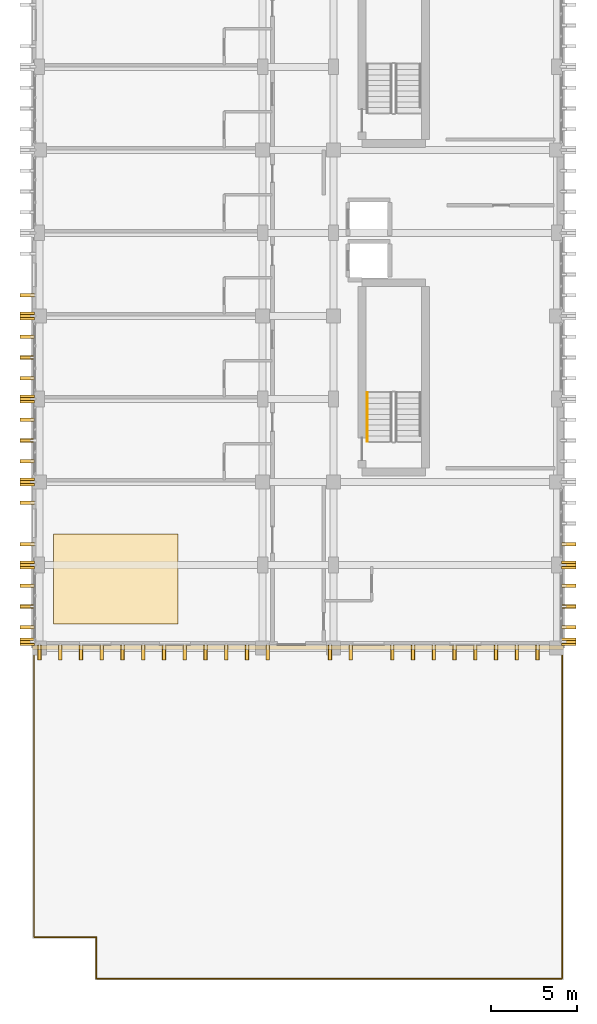
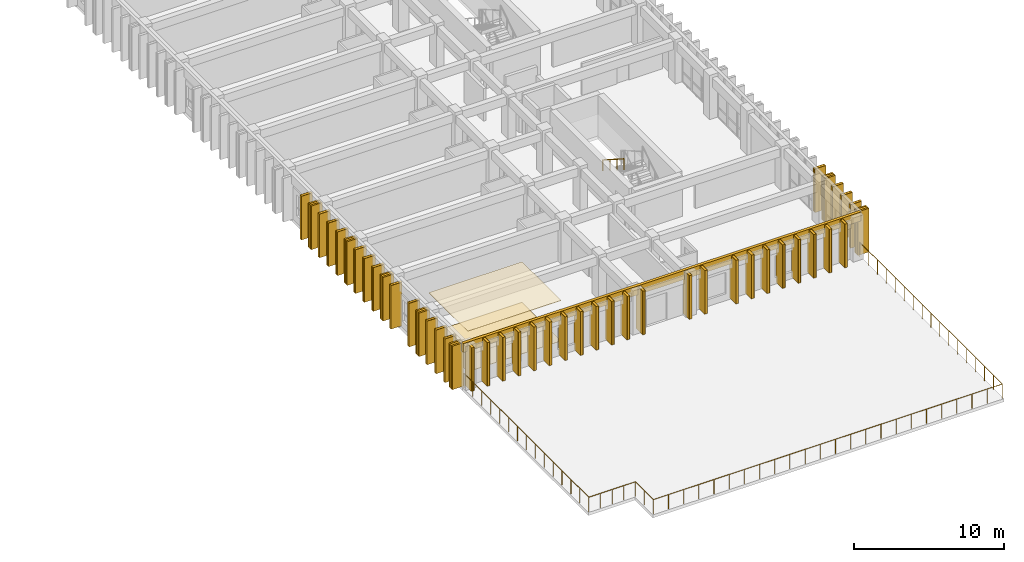
# One storey, part 72 of 82: 48 coverings, 45 shading devices, 2 railings.
"""IFC4 building model written with IfcOpenShell, lengths in metres."""

import ifcopenshell
import ifcopenshell.guid

model = None  # the IFC model being written
_history = None  # IfcOwnerHistory: only IFC2X3 demands one
_inside = {}  # id of a spatial element -> (the spatial element, [elements in it])
_under = {}  # id of a project, library or spatial element -> (it, [spatial elements below it])
_declared = {}  # id of a project -> (the project, [libraries it declares])
_typed = {}  # id of a type object -> (the type object, [elements of that type])
_made_of = {}  # id of a material, layer set ... -> (it, [elements and type objects made of it])


def new_model(schema):
    """Start an empty IFC model of exactly this schema.

    Asked for "IFC4X3", IfcOpenShell would pick the latest addendum, in which some entities
    have other attributes; the version numbers below select the first issue.
    IFC2X3 requires an IfcOwnerHistory on every rooted entity: one is made here for all.
    """
    global model, _history
    if schema == "IFC4X3":
        model = ifcopenshell.file(schema_version=(4, 3, 0, 0))
    else:
        model = ifcopenshell.file(schema=schema)
    _inside.clear()
    _under.clear()
    _declared.clear()
    _typed.clear()
    _made_of.clear()
    _history = None
    if model.schema == "IFC2X3":
        org = make("IfcOrganization", Name="unknown")
        user = make(
            "IfcPersonAndOrganization",
            ThePerson=make("IfcPerson", FamilyName="unknown"),
            TheOrganization=org,
        )
        app = make(
            "IfcApplication",
            ApplicationDeveloper=org,
            Version="unknown",
            ApplicationFullName="unknown",
            ApplicationIdentifier="unknown",
        )
        _history = make(
            "IfcOwnerHistory",
            OwningUser=user,
            OwningApplication=app,
            ChangeAction="ADDED",
            CreationDate=0,
        )
    return model


def make(cls, **values):
    """One entity of the class cls with the attributes given. An attribute that is None is left unset."""
    return model.create_entity(
        cls, **{name: value for name, value in values.items() if value is not None}
    )


def rooted(cls, **values):
    """An entity with a GlobalId (a new one), such as an element, a storey or a relation."""
    return make(cls, GlobalId=ifcopenshell.guid.new(), OwnerHistory=_history, **values)


def si_unit(unit_type, name, prefix=None):
    """IfcSIUnit, for example si_unit("LENGTHUNIT", "METRE", prefix="MILLI")."""
    return make("IfcSIUnit", UnitType=unit_type, Prefix=prefix, Name=name)


def assignment(units):
    """IfcUnitAssignment: the units of a project."""
    return None if units is None else make("IfcUnitAssignment", Units=units)


def point(xyz):
    """IfcCartesianPoint."""
    return None if xyz is None else make("IfcCartesianPoint", Coordinates=xyz)


def direction(xyz):
    """IfcDirection."""
    return None if xyz is None else make("IfcDirection", DirectionRatios=xyz)


def frame(location, z_axis=None, x_axis=None):
    """IfcAxis2Placement3D, a coordinate frame: its origin and axes. An axis left out is left unset."""
    return make(
        "IfcAxis2Placement3D",
        Location=point(location),
        Axis=direction(z_axis),
        RefDirection=direction(x_axis),
    )


def frame_2d(location, x_axis=None):
    """IfcAxis2Placement2D, a coordinate frame in the plane: its origin and x axis."""
    return make(
        "IfcAxis2Placement2D", Location=point(location), RefDirection=direction(x_axis)
    )


def origin():
    """The frame at (0, 0, 0) with its axes left unset."""
    return frame((0.0, 0.0, 0.0))


def origin_2d():
    """The frame at (0, 0) in the plane with its x axis left unset."""
    return frame_2d((0.0, 0.0))


def place(relative_to, where):
    """IfcLocalPlacement: puts the frame where relative to a parent placement (None: the world)."""
    return make(
        "IfcLocalPlacement", PlacementRelTo=relative_to, RelativePlacement=where
    )


def context(
    kind, dimensions, precision=None, world=None, true_north=None, identifier=None
):
    """IfcGeometricRepresentationContext, for example the 3D "Model" context."""
    return make(
        "IfcGeometricRepresentationContext",
        ContextIdentifier=identifier,
        ContextType=kind,
        CoordinateSpaceDimension=dimensions,
        Precision=precision,
        WorldCoordinateSystem=world,
        TrueNorth=true_north,
    )


def subcontext(parent, identifier, kind, view, scale=None):
    """IfcGeometricRepresentationSubContext, for example "Body" below "Model"."""
    return make(
        "IfcGeometricRepresentationSubContext",
        ContextIdentifier=identifier,
        ContextType=kind,
        ParentContext=parent,
        TargetScale=scale,
        TargetView=view,
    )


def project(units=None, contexts=None):
    """IfcProject with its units and contexts."""
    return rooted(
        "IfcProject",
        Name="project",
        RepresentationContexts=contexts,
        UnitsInContext=assignment(units),
    )


def spatial(cls, under=None, at=None, **own):
    """A site, building, storey or space (cls), placed at a placement, below another one or the project."""
    s = rooted(cls, ObjectPlacement=at, **own)
    if under is not None:
        _under.setdefault(under.id(), (under, []))[1].append(s)
    return s


def polyline(points):
    """IfcPolyline through the points."""
    return make("IfcPolyline", Points=[point(p) for p in points])


def profile(cls, at=None, kind="AREA", **sizes):
    """A parametric profile (cls). Its sizes go by their IFC names, for example OverallWidth=200.0."""
    return make(cls, ProfileType=kind, Position=at, **sizes)


def rectangle(**sizes):
    """IfcRectangleProfileDef."""
    return profile("IfcRectangleProfileDef", **sizes)


def circle(**sizes):
    """IfcCircleProfileDef."""
    return profile("IfcCircleProfileDef", **sizes)


def outline(outer, holes=None, kind="AREA"):
    """IfcArbitraryClosedProfileDef: a profile drawn as a closed curve; with holes, ...WithVoids."""
    if holes is None:
        return make("IfcArbitraryClosedProfileDef", ProfileType=kind, OuterCurve=outer)
    return make(
        "IfcArbitraryProfileDefWithVoids",
        ProfileType=kind,
        OuterCurve=outer,
        InnerCurves=holes,
    )


def extrude(swept, where, along, depth):
    """IfcExtrudedAreaSolid: the profile swept, set in the frame where, extruded along a direction by depth."""
    return make(
        "IfcExtrudedAreaSolid",
        SweptArea=swept,
        Position=where,
        ExtrudedDirection=direction(along),
        Depth=depth,
    )


def shape(context_of_items, identifier, shape_type, items):
    """IfcShapeRepresentation: the items that make up one representation, for example the "Body"."""
    return make(
        "IfcShapeRepresentation",
        ContextOfItems=context_of_items,
        RepresentationIdentifier=identifier,
        RepresentationType=shape_type,
        Items=items,
    )


def material(Name=None, Category=None):
    """IfcMaterial."""
    return make("IfcMaterial", Name=Name, Category=Category)


def layer(
    of_material, thickness, ventilated=None, Name=None, Category=None, Priority=None
):
    """IfcMaterialLayer: one layer of a wall or slab, of a material (None: an air gap)."""
    return make(
        "IfcMaterialLayer",
        Material=of_material,
        LayerThickness=thickness,
        IsVentilated=ventilated,
        Name=Name,
        Category=Category,
        Priority=Priority,
    )


def layer_set(layers, Name=None):
    """IfcMaterialLayerSet."""
    return make("IfcMaterialLayerSet", MaterialLayers=layers, LayerSetName=Name)


def made_of(thing, what):
    """Note that an element or type object is made of a material, layer set ...; save() writes the relation."""
    if what is not None:
        _made_of.setdefault(what.id(), (what, []))[1].append(thing)
    return thing


def type_object(cls, material=None, **own):
    """A type object (cls), such as IfcWallType, which elements share."""
    return made_of(rooted(cls, **own), material)


def element(
    cls,
    number,
    at=None,
    inside=None,
    cuts=None,
    type_object=None,
    material=None,
    context=None,
    identifier="Body",
    shape_type=None,
    held_by="IfcProductDefinitionShape",
    body=None,
    shapes=None,
    **own,
):
    """One element of the class cls, such as IfcWall. Its Tag is "e" and its number.

    at: its placement. inside: the storey or other place that contains it. cuts: it is an
    opening in that element (IfcRelVoidsElement). A single representation is given by context,
    identifier, shape_type and body (its items); several are given by shapes. held_by: the class
    of the entity that holds the representations. save() writes the other relations.
    """
    e = rooted(cls, Tag="e%d" % number, ObjectPlacement=at, **own)
    if body is not None:
        shapes = [shape(context, identifier, shape_type, body)]
    if shapes is not None:
        e.Representation = make(held_by, Representations=shapes)
    if inside is not None:
        _inside.setdefault(inside.id(), (inside, []))[1].append(e)
    if cuts is not None:
        rooted(
            "IfcRelVoidsElement", RelatingBuildingElement=cuts, RelatedOpeningElement=e
        )
    if type_object is not None:
        _typed.setdefault(type_object.id(), (type_object, []))[1].append(e)
    return made_of(e, material)


def aggregate(whole, parts):
    """IfcRelAggregates: a whole, such as a stair, and the parts it consists of."""
    return rooted("IfcRelAggregates", RelatingObject=whole, RelatedObjects=parts)


def save(model, path):
    """Write the relations noted so far, then the file.

    IfcRelAggregates (storeys below a building ...), IfcRelContainedInSpatialStructure (elements
    in a storey), IfcRelDefinesByType, IfcRelAssociatesMaterial and IfcRelDeclares: one each for
    every whole, place, type object, material and project.
    """
    for whole, parts in _under.values():
        aggregate(whole, parts)
    for where, things in _inside.values():
        rooted(
            "IfcRelContainedInSpatialStructure",
            RelatedElements=things,
            RelatingStructure=where,
        )
    for kind, things in _typed.values():
        rooted("IfcRelDefinesByType", RelatedObjects=things, RelatingType=kind)
    for what, things in _made_of.values():
        rooted("IfcRelAssociatesMaterial", RelatedObjects=things, RelatingMaterial=what)
    for by, libraries in _declared.values():
        rooted("IfcRelDeclares", RelatingContext=by, RelatedDefinitions=libraries)
    model.write(path)


model = new_model("IFC4")

# Units and contexts
model_context = context("Model", 3, precision=1e-05, world=origin(), true_north=direction((0.0, 1.0)))
body_context = subcontext(model_context, "Body", "Model", "MODEL_VIEW")
ifc_project = project(units=[si_unit("LENGTHUNIT", "METRE"), si_unit("AREAUNIT", "SQUARE_METRE"), si_unit("VOLUMEUNIT", "CUBIC_METRE"), si_unit("PLANEANGLEUNIT", "RADIAN"), si_unit("MASSUNIT", "GRAM", prefix="KILO")], contexts=[model_context])

# Site, building, storey
site_placement = place(None, origin())
site = spatial("IfcSite", under=ifc_project, at=site_placement, CompositionType="ELEMENT")
building_placement = place(site_placement, origin())
building = spatial("IfcBuilding", under=site, at=building_placement, Name="Nakhvara Creek Congress Hotel", CompositionType="ELEMENT")
storey_placement = place(building_placement, frame((0.0, 0.0, 21.0)))
storey = spatial("IfcBuildingStorey", under=building, at=storey_placement, Name="L04", CompositionType="ELEMENT", Elevation=21.0)

# Coverings
ifc_material_1 = material(Name="Acoustic mineral-fibre and gypsum ceiling board")
ifc_layer_1 = layer(ifc_material_1, 0.0400390625)
ifc_layer_set_1 = layer_set([ifc_layer_1], Name="Acoustic mineral-fibre and gypsum ceiling board")
covering_type_1 = type_object("IfcCoveringType", Name="COV-CEIL-AC", PredefinedType="CEILING", material=ifc_layer_set_1)
covering_1_placement = place(storey_placement, frame((0.0, 0.0, 3.304931640625)))
element("IfcCovering", 1, at=covering_1_placement, inside=storey, type_object=covering_type_1, Name="Acoustic Ceiling L04-LNG-01", PredefinedType="CEILING", context=body_context, shape_type="SweptSolid", body=[
    extrude(outline(polyline([(150.25, 20.60009765625), (157.449951171875, 20.60009765625), (157.449951171875, 25.800048828125), (150.25, 25.800048828125), (150.25, 20.60009765625)])), origin(), (0.0, 0.0, 1.0), 0.03515625),
])
ifc_material_2 = material(Name="Honed pale Omani limestone architectural cladding", Category="masonry")
ifc_layer_2 = layer(ifc_material_2, 0.219970703125)
ifc_layer_set_2 = layer_set([ifc_layer_2], Name="Honed pale Omani limestone architectural cladding")
covering_type_2 = type_object("IfcCoveringType", Name="COV-FIN-850", PredefinedType="CLADDING", material=ifc_layer_set_2)
for number, where, z_axis, x_axis, name in (
    (2, (180.054931640625, 19.550048828125, 0.0), (0.0, 0.0, 1.0), (0.0, 1.0, 0.0), "Pale Limestone Fin Cladding CF01-1201"),
    (3, (148.7451171875, 19.550048828125, 0.0), (0.0, 0.0, 1.0), (0.0, 1.0, 0.0), "Pale Limestone Fin Cladding CF01-1202"),
):
    element("IfcCovering", number, at=place(storey_placement, frame(where, z_axis=z_axis, x_axis=x_axis)), inside=storey, type_object=covering_type_2, Name=name, PredefinedType="CLADDING", context=body_context, shape_type="SweptSolid", body=[
        extrude(rectangle(XDim=0.43994140625, YDim=0.85009765625, at=origin_2d()), origin(), (0.0, 0.0, 1.0), 3.56005859375),
    ])
for number, where, z_axis, x_axis, name in (
    (4, (180.054931640625, 20.39990234375, 0.0), (0.0, 0.0, 1.0), (0.0, 1.0, 0.0), "Pale Limestone Fin Cladding CF01-1203"),
    (5, (148.7451171875, 20.39990234375, 0.0), (0.0, 0.0, 1.0), (0.0, 1.0, 0.0), "Pale Limestone Fin Cladding CF01-1204"),
    (6, (180.054931640625, 21.60009765625, 0.0), (0.0, 0.0, 1.0), (0.0, 1.0, 0.0), "Pale Limestone Fin Cladding CF01-1205"),
    (7, (148.7451171875, 21.60009765625, 0.0), (0.0, 0.0, 1.0), (0.0, 1.0, 0.0), "Pale Limestone Fin Cladding CF01-1206"),
    (8, (180.054931640625, 22.800048828125, 0.0), (0.0, 0.0, 1.0), (0.0, 1.0, 0.0), "Pale Limestone Fin Cladding CF01-1207"),
    (9, (148.7451171875, 22.800048828125, 0.0), (0.0, 0.0, 1.0), (0.0, 1.0, 0.0), "Pale Limestone Fin Cladding CF01-1208"),
):
    element("IfcCovering", number, at=place(storey_placement, frame(where, z_axis=z_axis, x_axis=x_axis)), inside=storey, type_object=covering_type_2, Name=name, PredefinedType="CLADDING", context=body_context, shape_type="SweptSolid", body=[
        extrude(rectangle(XDim=0.219970703125, YDim=0.85009765625, at=origin_2d()), origin(), (0.0, 0.0, 1.0), 3.56005859375),
    ])
for number, where, z_axis, x_axis, name in (
    (10, (180.054931640625, 24.0, 0.0), (0.0, 0.0, 1.0), (0.0, 1.0, 0.0), "Pale Limestone Fin Cladding CF01-1209"),
    (11, (148.7451171875, 24.0, 0.0), (0.0, 0.0, 1.0), (0.0, 1.0, 0.0), "Pale Limestone Fin Cladding CF01-1210"),
):
    element("IfcCovering", number, at=place(storey_placement, frame(where, z_axis=z_axis, x_axis=x_axis)), inside=storey, type_object=covering_type_2, Name=name, PredefinedType="CLADDING", context=body_context, shape_type="SweptSolid", body=[
        extrude(rectangle(XDim=0.43994140625, YDim=0.85009765625, at=origin_2d()), origin(), (0.0, 0.0, 1.0), 3.56005859375),
    ])
for number, where, z_axis, x_axis, name in (
    (12, (180.054931640625, 25.199951171875, 0.0), (0.0, 0.0, 1.0), (0.0, 1.0, 0.0), "Pale Limestone Fin Cladding CF01-1211"),
    (13, (148.7451171875, 25.199951171875, 0.0), (0.0, 0.0, 1.0), (0.0, 1.0, 0.0), "Pale Limestone Fin Cladding CF01-1212"),
    (14, (148.7451171875, 27.60009765625, 0.0), (0.0, 0.0, 1.0), (0.0, 1.0, 0.0), "Pale Limestone Fin Cladding CF01-1215"),
):
    element("IfcCovering", number, at=place(storey_placement, frame(where, z_axis=z_axis, x_axis=x_axis)), inside=storey, type_object=covering_type_2, Name=name, PredefinedType="CLADDING", context=body_context, shape_type="SweptSolid", body=[
        extrude(rectangle(XDim=0.219970703125, YDim=0.85009765625, at=origin_2d()), origin(), (0.0, 0.0, 1.0), 3.56005859375),
    ])
covering_2_placement = place(storey_placement, frame((148.7451171875, 28.800048828125, 0.0), z_axis=(0.0, 0.0, 1.0), x_axis=(0.0, 1.0, 0.0)))
element("IfcCovering", 15, at=covering_2_placement, inside=storey, type_object=covering_type_2, Name="Pale Limestone Fin Cladding CF01-1217", PredefinedType="CLADDING", context=body_context, shape_type="SweptSolid", body=[
    extrude(rectangle(XDim=0.43994140625, YDim=0.85009765625, at=origin_2d()), origin(), (0.0, 0.0, 1.0), 3.56005859375),
])
for number, where, z_axis, x_axis, name in (
    (16, (148.7451171875, 30.0, 0.0), (0.0, 0.0, 1.0), (0.0, 1.0, 0.0), "Pale Limestone Fin Cladding CF01-1219"),
    (17, (148.7451171875, 31.199951171875, 0.0), (0.0, 0.0, 1.0), (0.0, 1.0, 0.0), "Pale Limestone Fin Cladding CF01-1221"),
    (18, (148.7451171875, 32.39990234375, 0.0), (0.0, 0.0, 1.0), (0.0, 1.0, 0.0), "Pale Limestone Fin Cladding CF01-1223"),
):
    element("IfcCovering", number, at=place(storey_placement, frame(where, z_axis=z_axis, x_axis=x_axis)), inside=storey, type_object=covering_type_2, Name=name, PredefinedType="CLADDING", context=body_context, shape_type="SweptSolid", body=[
        extrude(rectangle(XDim=0.219970703125, YDim=0.85009765625, at=origin_2d()), origin(), (0.0, 0.0, 1.0), 3.56005859375),
    ])
covering_3_placement = place(storey_placement, frame((148.7451171875, 33.60009765625, 0.0), z_axis=(0.0, 0.0, 1.0), x_axis=(0.0, 1.0, 0.0)))
element("IfcCovering", 19, at=covering_3_placement, inside=storey, type_object=covering_type_2, Name="Pale Limestone Fin Cladding CF01-1225", PredefinedType="CLADDING", context=body_context, shape_type="SweptSolid", body=[
    extrude(rectangle(XDim=0.43994140625, YDim=0.85009765625, at=origin_2d()), origin(), (0.0, 0.0, 1.0), 3.56005859375),
])
for number, where, z_axis, x_axis, name in (
    (20, (148.7451171875, 34.800048828125, 0.0), (0.0, 0.0, 1.0), (0.0, 1.0, 0.0), "Pale Limestone Fin Cladding CF01-1227"),
    (21, (148.7451171875, 36.0, 0.0), (0.0, 0.0, 1.0), (0.0, 1.0, 0.0), "Pale Limestone Fin Cladding CF01-1229"),
    (22, (148.7451171875, 37.199951171875, 0.0), (0.0, 0.0, 1.0), (0.0, 1.0, 0.0), "Pale Limestone Fin Cladding CF01-1231"),
):
    element("IfcCovering", number, at=place(storey_placement, frame(where, z_axis=z_axis, x_axis=x_axis)), inside=storey, type_object=covering_type_2, Name=name, PredefinedType="CLADDING", context=body_context, shape_type="SweptSolid", body=[
        extrude(rectangle(XDim=0.219970703125, YDim=0.85009765625, at=origin_2d()), origin(), (0.0, 0.0, 1.0), 3.56005859375),
    ])
covering_4_placement = place(storey_placement, frame((148.7451171875, 38.39990234375, 0.0), z_axis=(0.0, 0.0, 1.0), x_axis=(0.0, 1.0, 0.0)))
element("IfcCovering", 23, at=covering_4_placement, inside=storey, type_object=covering_type_2, Name="Pale Limestone Fin Cladding CF01-1233", PredefinedType="CLADDING", context=body_context, shape_type="SweptSolid", body=[
    extrude(rectangle(XDim=0.43994140625, YDim=0.85009765625, at=origin_2d()), origin(), (0.0, 0.0, 1.0), 3.56005859375),
])
for number, where, z_axis, x_axis, name in (
    (24, (148.7451171875, 39.60009765625, 0.0), (0.0, 0.0, 1.0), (0.0, 1.0, 0.0), "Pale Limestone Fin Cladding CF01-1235"),
    (25, (149.449951171875, 18.93505859375, 0.0), (0.0, 0.0, 1.0), (1.0, 0.0, 0.0), "Pale Limestone Fin Cladding CF01-1374"),
    (26, (150.64990234375, 18.93505859375, 0.0), (0.0, 0.0, 1.0), (1.0, 0.0, 0.0), "Pale Limestone Fin Cladding CF01-1376"),
    (27, (151.85009765625, 18.93505859375, 0.0), (0.0, 0.0, 1.0), (1.0, 0.0, 0.0), "Pale Limestone Fin Cladding CF01-1378"),
    (28, (153.050048828125, 18.93505859375, 0.0), (0.0, 0.0, 1.0), (1.0, 0.0, 0.0), "Pale Limestone Fin Cladding CF01-1380"),
    (29, (154.25, 18.93505859375, 0.0), (0.0, 0.0, 1.0), (1.0, 0.0, 0.0), "Pale Limestone Fin Cladding CF01-1381"),
    (30, (155.449951171875, 18.93505859375, 0.0), (0.0, 0.0, 1.0), (1.0, 0.0, 0.0), "Pale Limestone Fin Cladding CF01-1383"),
    (31, (156.64990234375, 18.93505859375, 0.0), (0.0, 0.0, 1.0), (1.0, 0.0, 0.0), "Pale Limestone Fin Cladding CF01-1385"),
    (32, (157.85009765625, 18.93505859375, 0.0), (0.0, 0.0, 1.0), (1.0, 0.0, 0.0), "Pale Limestone Fin Cladding CF01-1387"),
    (33, (159.050048828125, 18.93505859375, 0.0), (0.0, 0.0, 1.0), (1.0, 0.0, 0.0), "Pale Limestone Fin Cladding CF01-1389"),
    (34, (160.25, 18.93505859375, 0.0), (0.0, 0.0, 1.0), (1.0, 0.0, 0.0), "Pale Limestone Fin Cladding CF01-1391"),
    (35, (161.449951171875, 18.93505859375, 0.0), (0.0, 0.0, 1.0), (1.0, 0.0, 0.0), "Pale Limestone Fin Cladding CF01-1393"),
    (36, (162.64990234375, 18.93505859375, 0.0), (0.0, 0.0, 1.0), (1.0, 0.0, 0.0), "Pale Limestone Fin Cladding CF01-1395"),
    (37, (166.25, 18.93505859375, 0.0), (0.0, 0.0, 1.0), (1.0, 0.0, 0.0), "Pale Limestone Fin Cladding CF01-1399"),
    (38, (167.449951171875, 18.93505859375, 0.0), (0.0, 0.0, 1.0), (1.0, 0.0, 0.0), "Pale Limestone Fin Cladding CF01-1401"),
    (39, (169.85009765625, 18.93505859375, 0.0), (0.0, 0.0, 1.0), (1.0, 0.0, 0.0), "Pale Limestone Fin Cladding CF01-1404"),
    (40, (171.050048828125, 18.93505859375, 0.0), (0.0, 0.0, 1.0), (1.0, 0.0, 0.0), "Pale Limestone Fin Cladding CF01-1406"),
    (41, (172.25, 18.93505859375, 0.0), (0.0, 0.0, 1.0), (1.0, 0.0, 0.0), "Pale Limestone Fin Cladding CF01-1408"),
    (42, (173.449951171875, 18.93505859375, 0.0), (0.0, 0.0, 1.0), (1.0, 0.0, 0.0), "Pale Limestone Fin Cladding CF01-1410"),
    (43, (174.64990234375, 18.93505859375, 0.0), (0.0, 0.0, 1.0), (1.0, 0.0, 0.0), "Pale Limestone Fin Cladding CF01-1412"),
    (44, (175.85009765625, 18.93505859375, 0.0), (0.0, 0.0, 1.0), (1.0, 0.0, 0.0), "Pale Limestone Fin Cladding CF01-1413"),
    (45, (177.050048828125, 18.93505859375, 0.0), (0.0, 0.0, 1.0), (1.0, 0.0, 0.0), "Pale Limestone Fin Cladding CF01-1415"),
    (46, (178.25, 18.93505859375, 0.0), (0.0, 0.0, 1.0), (1.0, 0.0, 0.0), "Pale Limestone Fin Cladding CF01-1417"),
):
    element("IfcCovering", number, at=place(storey_placement, frame(where, z_axis=z_axis, x_axis=x_axis)), inside=storey, type_object=covering_type_2, Name=name, PredefinedType="CLADDING", context=body_context, shape_type="SweptSolid", body=[
        extrude(rectangle(XDim=0.219970703125, YDim=0.85009765625, at=origin_2d()), origin(), (0.0, 0.0, 1.0), 3.56005859375),
    ])
ifc_material_3 = material(Name="Honed limestone and terrazzo acoustic floor finish", Category="masonry")
ifc_layer_3 = layer(ifc_material_3, 0.044921875)
ifc_layer_set_3 = layer_set([ifc_layer_3], Name="Honed limestone and terrazzo acoustic floor finish")
covering_type_3 = type_object("IfcCoveringType", Name="COV-FLR-TER", PredefinedType="FLOORING", material=ifc_layer_set_3)
covering_5_placement = place(storey_placement, origin())
element("IfcCovering", 47, at=covering_5_placement, inside=storey, type_object=covering_type_3, Name="Floor Finish L04-LNG-01", PredefinedType="FLOORING", context=body_context, shape_type="SweptSolid", body=[
    extrude(outline(polyline([(150.25, 20.60009765625), (157.449951171875, 20.60009765625), (157.449951171875, 25.800048828125), (150.25, 25.800048828125), (150.25, 20.60009765625)])), origin(), (0.0, 0.0, 1.0), 0.030029296875),
])
ifc_layer_4 = layer(ifc_material_2, 0.179931640625)
ifc_layer_set_4 = layer_set([ifc_layer_4], Name="Honed pale Omani limestone architectural cladding")
covering_type_4 = type_object("IfcCoveringType", Name="COV-SPN-180", PredefinedType="CLADDING", material=ifc_layer_set_4)
covering_6_placement = place(storey_placement, frame((164.39990234375, 19.22998046875, 2.909912109375), z_axis=(0.0, 0.0, 1.0), x_axis=(1.0, 0.0, 0.0)))
element("IfcCovering", 48, at=covering_6_placement, inside=storey, type_object=covering_type_4, Name="Pale Limestone Spandrel Band CF02-0060", PredefinedType="CLADDING", context=body_context, shape_type="SweptSolid", body=[
    extrude(rectangle(XDim=30.699951171875, YDim=0.219970703125, at=origin_2d()), origin(), (0.0, 0.0, 1.0), 0.72998046875),
])

# Railings
ifc_material_4 = material(Name="Bronze-anodised aluminium and laminated safety glass balustrade", Category="aluminium")
railing_type_1 = type_object("IfcRailingType", Name="RL-BALUS-1200", PredefinedType="BALUSTRADE", material=ifc_material_4)
railing_1_placement = place(storey_placement, frame((149.1298828125, 19.159912109375, 0.0)))
element("IfcRailing", 49, at=railing_1_placement, inside=storey, type_object=railing_type_1, Name="Terrace Balustrade GR02-L04-002", PredefinedType="BALUSTRADE", context=body_context, shape_type="SweptSolid", body=[
    extrude(circle(Radius=0.02392578125, at=origin_2d()), frame((0.0, -0.0146484375, 1.17578125), z_axis=(0.0, -1.0, 0.0), x_axis=(1.0, 0.0, 0.0)), (0.0, 0.0, 1.0), 16.650634765625),
    extrude(circle(Radius=0.02392578125, at=origin_2d()), frame((0.0146484375, -16.679931640625, 1.17578125), z_axis=(1.0, 0.0, 0.0), x_axis=(0.0, 1.0, 0.0)), (0.0, 0.0, 1.0), 3.57080078125),
    extrude(circle(Radius=0.02392578125, at=origin_2d()), frame((3.60009765625, -16.694580078125, 1.17578125), z_axis=(0.0, -1.0, 0.0), x_axis=(1.0, 0.0, 0.0)), (0.0, 0.0, 1.0), 2.37060546875),
    extrude(circle(Radius=0.02392578125, at=origin_2d()), frame((3.61474609375, -19.079833984375, 1.17578125), z_axis=(1.0, 0.0, 0.0), x_axis=(0.0, 1.0, 0.0)), (0.0, 0.0, 1.0), 26.91064453125),
    extrude(circle(Radius=0.02392578125, at=origin_2d()), frame((30.5400390625, -19.065185546875, 1.17578125), z_axis=(0.0, 1.0, 0.0), x_axis=(-1.0, 0.0, 0.0)), (0.0, 0.0, 1.0), 19.050537109375),
    extrude(circle(Radius=0.02099609375, at=origin_2d()), origin(), (0.0, 0.0, 1.0), 1.1806640625),
    extrude(circle(Radius=0.02099609375, at=origin_2d()), frame((0.0, -1.19140625, 0.0)), (0.0, 0.0, 1.0), 1.1806640625),
    extrude(circle(Radius=0.02099609375, at=origin_2d()), frame((0.0, -2.3828125, 0.0)), (0.0, 0.0, 1.0), 1.1806640625),
    extrude(circle(Radius=0.02099609375, at=origin_2d()), frame((0.0, -3.57421875, 0.0)), (0.0, 0.0, 1.0), 1.1806640625),
    extrude(circle(Radius=0.02099609375, at=origin_2d()), frame((0.0, -4.765625, 0.0)), (0.0, 0.0, 1.0), 1.1806640625),
    extrude(circle(Radius=0.02099609375, at=origin_2d()), frame((0.0, -5.95703125, 0.0)), (0.0, 0.0, 1.0), 1.1806640625),
    extrude(circle(Radius=0.02099609375, at=origin_2d()), frame((0.0, -7.1484375, 0.0)), (0.0, 0.0, 1.0), 1.1806640625),
    extrude(circle(Radius=0.02099609375, at=origin_2d()), frame((0.0, -8.33984375, 0.0)), (0.0, 0.0, 1.0), 1.1806640625),
    extrude(circle(Radius=0.02099609375, at=origin_2d()), frame((0.0, -9.531494140625, 0.0)), (0.0, 0.0, 1.0), 1.1806640625),
    extrude(circle(Radius=0.02099609375, at=origin_2d()), frame((0.0, -10.722900390625, 0.0)), (0.0, 0.0, 1.0), 1.1806640625),
    extrude(circle(Radius=0.02099609375, at=origin_2d()), frame((0.0, -11.914306640625, 0.0)), (0.0, 0.0, 1.0), 1.1806640625),
    extrude(circle(Radius=0.02099609375, at=origin_2d()), frame((0.0, -13.105712890625, 0.0)), (0.0, 0.0, 1.0), 1.1806640625),
    extrude(circle(Radius=0.02099609375, at=origin_2d()), frame((0.0, -14.297119140625, 0.0)), (0.0, 0.0, 1.0), 1.1806640625),
    extrude(circle(Radius=0.02099609375, at=origin_2d()), frame((0.0, -15.488525390625, 0.0)), (0.0, 0.0, 1.0), 1.1806640625),
    extrude(circle(Radius=0.02099609375, at=origin_2d()), frame((0.0, -16.679931640625, 0.0)), (0.0, 0.0, 1.0), 1.1806640625),
    extrude(circle(Radius=0.02099609375, at=origin_2d()), frame((0.89990234375, -16.679931640625, 0.0)), (0.0, 0.0, 1.0), 1.1806640625),
    extrude(circle(Radius=0.02099609375, at=origin_2d()), frame((1.800048828125, -16.679931640625, 0.0)), (0.0, 0.0, 1.0), 1.1806640625),
    extrude(circle(Radius=0.02099609375, at=origin_2d()), frame((2.7001953125, -16.679931640625, 0.0)), (0.0, 0.0, 1.0), 1.1806640625),
    extrude(circle(Radius=0.02099609375, at=origin_2d()), frame((3.60009765625, -16.679931640625, 0.0)), (0.0, 0.0, 1.0), 1.1806640625),
    extrude(circle(Radius=0.02099609375, at=origin_2d()), frame((3.60009765625, -17.8798828125, 0.0)), (0.0, 0.0, 1.0), 1.1806640625),
    extrude(circle(Radius=0.02099609375, at=origin_2d()), frame((3.60009765625, -19.079833984375, 0.0)), (0.0, 0.0, 1.0), 1.1806640625),
    extrude(circle(Radius=0.02099609375, at=origin_2d()), frame((4.771484375, -19.079833984375, 0.0)), (0.0, 0.0, 1.0), 1.1806640625),
    extrude(circle(Radius=0.02099609375, at=origin_2d()), frame((5.942626953125, -19.079833984375, 0.0)), (0.0, 0.0, 1.0), 1.1806640625),
    extrude(circle(Radius=0.02099609375, at=origin_2d()), frame((7.114013671875, -19.079833984375, 0.0)), (0.0, 0.0, 1.0), 1.1806640625),
    extrude(circle(Radius=0.02099609375, at=origin_2d()), frame((8.285400390625, -19.079833984375, 0.0)), (0.0, 0.0, 1.0), 1.1806640625),
    extrude(circle(Radius=0.02099609375, at=origin_2d()), frame((9.45654296875, -19.079833984375, 0.0)), (0.0, 0.0, 1.0), 1.1806640625),
    extrude(circle(Radius=0.02099609375, at=origin_2d()), frame((10.6279296875, -19.079833984375, 0.0)), (0.0, 0.0, 1.0), 1.1806640625),
    extrude(circle(Radius=0.02099609375, at=origin_2d()), frame((11.79931640625, -19.079833984375, 0.0)), (0.0, 0.0, 1.0), 1.1806640625),
    extrude(circle(Radius=0.02099609375, at=origin_2d()), frame((12.970458984375, -19.079833984375, 0.0)), (0.0, 0.0, 1.0), 1.1806640625),
    extrude(circle(Radius=0.02099609375, at=origin_2d()), frame((14.141845703125, -19.079833984375, 0.0)), (0.0, 0.0, 1.0), 1.1806640625),
    extrude(circle(Radius=0.02099609375, at=origin_2d()), frame((15.313232421875, -19.079833984375, 0.0)), (0.0, 0.0, 1.0), 1.1806640625),
    extrude(circle(Radius=0.02099609375, at=origin_2d()), frame((16.484375, -19.079833984375, 0.0)), (0.0, 0.0, 1.0), 1.1806640625),
    extrude(circle(Radius=0.02099609375, at=origin_2d()), frame((17.65576171875, -19.079833984375, 0.0)), (0.0, 0.0, 1.0), 1.1806640625),
    extrude(circle(Radius=0.02099609375, at=origin_2d()), frame((18.826904296875, -19.079833984375, 0.0)), (0.0, 0.0, 1.0), 1.1806640625),
    extrude(circle(Radius=0.02099609375, at=origin_2d()), frame((19.998291015625, -19.079833984375, 0.0)), (0.0, 0.0, 1.0), 1.1806640625),
    extrude(circle(Radius=0.02099609375, at=origin_2d()), frame((21.169677734375, -19.079833984375, 0.0)), (0.0, 0.0, 1.0), 1.1806640625),
    extrude(circle(Radius=0.02099609375, at=origin_2d()), frame((22.3408203125, -19.079833984375, 0.0)), (0.0, 0.0, 1.0), 1.1806640625),
    extrude(circle(Radius=0.02099609375, at=origin_2d()), frame((23.51220703125, -19.079833984375, 0.0)), (0.0, 0.0, 1.0), 1.1806640625),
    extrude(circle(Radius=0.02099609375, at=origin_2d()), frame((24.68359375, -19.079833984375, 0.0)), (0.0, 0.0, 1.0), 1.1806640625),
    extrude(circle(Radius=0.02099609375, at=origin_2d()), frame((25.854736328125, -19.079833984375, 0.0)), (0.0, 0.0, 1.0), 1.1806640625),
    extrude(circle(Radius=0.02099609375, at=origin_2d()), frame((27.026123046875, -19.079833984375, 0.0)), (0.0, 0.0, 1.0), 1.1806640625),
    extrude(circle(Radius=0.02099609375, at=origin_2d()), frame((28.197509765625, -19.079833984375, 0.0)), (0.0, 0.0, 1.0), 1.1806640625),
    extrude(circle(Radius=0.02099609375, at=origin_2d()), frame((29.36865234375, -19.079833984375, 0.0)), (0.0, 0.0, 1.0), 1.1806640625),
    extrude(circle(Radius=0.02099609375, at=origin_2d()), frame((30.5400390625, -19.079833984375, 0.0)), (0.0, 0.0, 1.0), 1.1806640625),
    extrude(circle(Radius=0.02099609375, at=origin_2d()), frame((30.5400390625, -17.887451171875, 0.0)), (0.0, 0.0, 1.0), 1.1806640625),
    extrude(circle(Radius=0.02099609375, at=origin_2d()), frame((30.5400390625, -16.69482421875, 0.0)), (0.0, 0.0, 1.0), 1.1806640625),
    extrude(circle(Radius=0.02099609375, at=origin_2d()), frame((30.5400390625, -15.50244140625, 0.0)), (0.0, 0.0, 1.0), 1.1806640625),
    extrude(circle(Radius=0.02099609375, at=origin_2d()), frame((30.5400390625, -14.309814453125, 0.0)), (0.0, 0.0, 1.0), 1.1806640625),
    extrude(circle(Radius=0.02099609375, at=origin_2d()), frame((30.5400390625, -13.117431640625, 0.0)), (0.0, 0.0, 1.0), 1.1806640625),
    extrude(circle(Radius=0.02099609375, at=origin_2d()), frame((30.5400390625, -11.9248046875, 0.0)), (0.0, 0.0, 1.0), 1.1806640625),
    extrude(circle(Radius=0.02099609375, at=origin_2d()), frame((30.5400390625, -10.732421875, 0.0)), (0.0, 0.0, 1.0), 1.1806640625),
    extrude(circle(Radius=0.02099609375, at=origin_2d()), frame((30.5400390625, -9.5400390625, 0.0)), (0.0, 0.0, 1.0), 1.1806640625),
    extrude(circle(Radius=0.02099609375, at=origin_2d()), frame((30.5400390625, -8.347412109375, 0.0)), (0.0, 0.0, 1.0), 1.1806640625),
    extrude(circle(Radius=0.02099609375, at=origin_2d()), frame((30.5400390625, -7.155029296875, 0.0)), (0.0, 0.0, 1.0), 1.1806640625),
    extrude(circle(Radius=0.02099609375, at=origin_2d()), frame((30.5400390625, -5.96240234375, 0.0)), (0.0, 0.0, 1.0), 1.1806640625),
    extrude(circle(Radius=0.02099609375, at=origin_2d()), frame((30.5400390625, -4.77001953125, 0.0)), (0.0, 0.0, 1.0), 1.1806640625),
    extrude(circle(Radius=0.02099609375, at=origin_2d()), frame((30.5400390625, -3.577392578125, 0.0)), (0.0, 0.0, 1.0), 1.1806640625),
    extrude(circle(Radius=0.02099609375, at=origin_2d()), frame((30.5400390625, -2.385009765625, 0.0)), (0.0, 0.0, 1.0), 1.1806640625),
    extrude(circle(Radius=0.02099609375, at=origin_2d()), frame((30.5400390625, -1.1923828125, 0.0)), (0.0, 0.0, 1.0), 1.1806640625),
    extrude(circle(Radius=0.02099609375, at=origin_2d()), frame((30.5400390625, 0.0, 0.0)), (0.0, 0.0, 1.0), 1.1806640625),
])
ifc_material_5 = material(Name="Brushed stainless steel 316L", Category="steel")
railing_type_2 = type_object("IfcRailingType", Name="RL-HAND-900", PredefinedType="HANDRAIL", material=ifc_material_5)
railing_2_placement = place(storey_placement, frame((168.39501953125, 33.97509765625, 1.97998046875)))
element("IfcRailing", 50, at=railing_2_placement, inside=storey, type_object=railing_type_2, Name="L04 ST03 stair handrail 2", PredefinedType="HANDRAIL", context=body_context, shape_type="SweptSolid", body=[
    extrude(circle(Radius=0.02392578125, at=origin_2d()), frame((0.0, -0.012451171875, 0.8837890625), z_axis=(0.0, -0.842742899579, 0.538316268757), x_axis=(1.0, 0.0, 0.0)), (0.0, 0.0, 1.0), 3.3349609375),
    extrude(circle(Radius=0.02099609375, at=origin_2d()), origin(), (0.0, 0.0, 1.0), 0.880615234375),
    extrude(circle(Radius=0.02099609375, at=origin_2d()), frame((0.0, -0.945068359375, 0.603759765625)), (0.0, 0.0, 1.0), 0.880615234375),
    extrude(circle(Radius=0.02099609375, at=origin_2d()), frame((0.0, -1.89013671875, 1.207275390625)), (0.0, 0.0, 1.0), 0.880615234375),
    extrude(circle(Radius=0.02099609375, at=origin_2d()), frame((0.0, -2.835205078125, 1.81103515625)), (0.0, 0.0, 1.0), 0.880615234375),
])

# Shading devices
ifc_material_6 = material(Name="Honed pale Omani limestone cladding on stainless steel spine", Category="masonry")
shading_device_type = type_object("IfcShadingDeviceType", Name="SHD-FIN-850X3600", PredefinedType="USERDEFINED", material=ifc_material_6)
for number, where, z_axis, x_axis, name in (
    (51, (180.054931640625, 19.550048828125, 0.0), (0.0, 0.0, 1.0), (0.0, 1.0, 0.0), "Limestone Solar Fin FN01-1066"),
    (52, (148.7451171875, 19.550048828125, 0.0), (0.0, 0.0, 1.0), (0.0, 1.0, 0.0), "Limestone Solar Fin FN01-1067"),
    (53, (180.054931640625, 20.39990234375, 0.0), (0.0, 0.0, 1.0), (0.0, 1.0, 0.0), "Limestone Solar Fin FN01-1068"),
    (54, (148.7451171875, 20.39990234375, 0.0), (0.0, 0.0, 1.0), (0.0, 1.0, 0.0), "Limestone Solar Fin FN01-1069"),
    (55, (180.054931640625, 21.60009765625, 0.0), (0.0, 0.0, 1.0), (0.0, 1.0, 0.0), "Limestone Solar Fin FN01-1070"),
    (56, (148.7451171875, 21.60009765625, 0.0), (0.0, 0.0, 1.0), (0.0, 1.0, 0.0), "Limestone Solar Fin FN01-1071"),
    (57, (180.054931640625, 22.800048828125, 0.0), (0.0, 0.0, 1.0), (0.0, 1.0, 0.0), "Limestone Solar Fin FN01-1072"),
    (58, (148.7451171875, 22.800048828125, 0.0), (0.0, 0.0, 1.0), (0.0, 1.0, 0.0), "Limestone Solar Fin FN01-1073"),
    (59, (180.054931640625, 24.0, 0.0), (0.0, 0.0, 1.0), (0.0, 1.0, 0.0), "Limestone Solar Fin FN01-1074"),
    (60, (148.7451171875, 24.0, 0.0), (0.0, 0.0, 1.0), (0.0, 1.0, 0.0), "Limestone Solar Fin FN01-1075"),
    (61, (180.054931640625, 25.199951171875, 0.0), (0.0, 0.0, 1.0), (0.0, 1.0, 0.0), "Limestone Solar Fin FN01-1076"),
    (62, (148.7451171875, 25.199951171875, 0.0), (0.0, 0.0, 1.0), (0.0, 1.0, 0.0), "Limestone Solar Fin FN01-1077"),
    (63, (148.7451171875, 27.60009765625, 0.0), (0.0, 0.0, 1.0), (0.0, 1.0, 0.0), "Limestone Solar Fin FN01-1080"),
    (64, (148.7451171875, 28.800048828125, 0.0), (0.0, 0.0, 1.0), (0.0, 1.0, 0.0), "Limestone Solar Fin FN01-1082"),
    (65, (148.7451171875, 30.0, 0.0), (0.0, 0.0, 1.0), (0.0, 1.0, 0.0), "Limestone Solar Fin FN01-1084"),
    (66, (148.7451171875, 31.199951171875, 0.0), (0.0, 0.0, 1.0), (0.0, 1.0, 0.0), "Limestone Solar Fin FN01-1086"),
    (67, (148.7451171875, 32.39990234375, 0.0), (0.0, 0.0, 1.0), (0.0, 1.0, 0.0), "Limestone Solar Fin FN01-1088"),
    (68, (148.7451171875, 33.60009765625, 0.0), (0.0, 0.0, 1.0), (0.0, 1.0, 0.0), "Limestone Solar Fin FN01-1090"),
    (69, (148.7451171875, 34.800048828125, 0.0), (0.0, 0.0, 1.0), (0.0, 1.0, 0.0), "Limestone Solar Fin FN01-1092"),
    (70, (148.7451171875, 36.0, 0.0), (0.0, 0.0, 1.0), (0.0, 1.0, 0.0), "Limestone Solar Fin FN01-1094"),
    (71, (148.7451171875, 37.199951171875, 0.0), (0.0, 0.0, 1.0), (0.0, 1.0, 0.0), "Limestone Solar Fin FN01-1096"),
    (72, (148.7451171875, 38.39990234375, 0.0), (0.0, 0.0, 1.0), (0.0, 1.0, 0.0), "Limestone Solar Fin FN01-1098"),
    (73, (148.7451171875, 39.60009765625, 0.0), (0.0, 0.0, 1.0), (0.0, 1.0, 0.0), "Limestone Solar Fin FN01-1100"),
    (74, (149.449951171875, 18.93505859375, 0.0), (0.0, 0.0, 1.0), (1.0, 0.0, 0.0), "Limestone Solar Fin FN01-1239"),
    (75, (150.64990234375, 18.93505859375, 0.0), (0.0, 0.0, 1.0), (1.0, 0.0, 0.0), "Limestone Solar Fin FN01-1241"),
    (76, (151.85009765625, 18.93505859375, 0.0), (0.0, 0.0, 1.0), (1.0, 0.0, 0.0), "Limestone Solar Fin FN01-1243"),
    (77, (153.050048828125, 18.93505859375, 0.0), (0.0, 0.0, 1.0), (1.0, 0.0, 0.0), "Limestone Solar Fin FN01-1245"),
    (78, (154.25, 18.93505859375, 0.0), (0.0, 0.0, 1.0), (1.0, 0.0, 0.0), "Limestone Solar Fin FN01-1246"),
    (79, (155.449951171875, 18.93505859375, 0.0), (0.0, 0.0, 1.0), (1.0, 0.0, 0.0), "Limestone Solar Fin FN01-1248"),
    (80, (156.64990234375, 18.93505859375, 0.0), (0.0, 0.0, 1.0), (1.0, 0.0, 0.0), "Limestone Solar Fin FN01-1250"),
    (81, (157.85009765625, 18.93505859375, 0.0), (0.0, 0.0, 1.0), (1.0, 0.0, 0.0), "Limestone Solar Fin FN01-1252"),
    (82, (159.050048828125, 18.93505859375, 0.0), (0.0, 0.0, 1.0), (1.0, 0.0, 0.0), "Limestone Solar Fin FN01-1254"),
    (83, (160.25, 18.93505859375, 0.0), (0.0, 0.0, 1.0), (1.0, 0.0, 0.0), "Limestone Solar Fin FN01-1256"),
    (84, (161.449951171875, 18.93505859375, 0.0), (0.0, 0.0, 1.0), (1.0, 0.0, 0.0), "Limestone Solar Fin FN01-1258"),
    (85, (162.64990234375, 18.93505859375, 0.0), (0.0, 0.0, 1.0), (1.0, 0.0, 0.0), "Limestone Solar Fin FN01-1260"),
    (86, (166.25, 18.93505859375, 0.0), (0.0, 0.0, 1.0), (1.0, 0.0, 0.0), "Limestone Solar Fin FN01-1264"),
    (87, (167.449951171875, 18.93505859375, 0.0), (0.0, 0.0, 1.0), (1.0, 0.0, 0.0), "Limestone Solar Fin FN01-1266"),
    (88, (169.85009765625, 18.93505859375, 0.0), (0.0, 0.0, 1.0), (1.0, 0.0, 0.0), "Limestone Solar Fin FN01-1269"),
    (89, (171.050048828125, 18.93505859375, 0.0), (0.0, 0.0, 1.0), (1.0, 0.0, 0.0), "Limestone Solar Fin FN01-1271"),
    (90, (172.25, 18.93505859375, 0.0), (0.0, 0.0, 1.0), (1.0, 0.0, 0.0), "Limestone Solar Fin FN01-1273"),
    (91, (173.449951171875, 18.93505859375, 0.0), (0.0, 0.0, 1.0), (1.0, 0.0, 0.0), "Limestone Solar Fin FN01-1275"),
    (92, (174.64990234375, 18.93505859375, 0.0), (0.0, 0.0, 1.0), (1.0, 0.0, 0.0), "Limestone Solar Fin FN01-1277"),
    (93, (175.85009765625, 18.93505859375, 0.0), (0.0, 0.0, 1.0), (1.0, 0.0, 0.0), "Limestone Solar Fin FN01-1278"),
    (94, (177.050048828125, 18.93505859375, 0.0), (0.0, 0.0, 1.0), (1.0, 0.0, 0.0), "Limestone Solar Fin FN01-1280"),
    (95, (178.25, 18.93505859375, 0.0), (0.0, 0.0, 1.0), (1.0, 0.0, 0.0), "Limestone Solar Fin FN01-1282"),
):
    element("IfcShadingDevice", number, at=place(storey_placement, frame(where, z_axis=z_axis, x_axis=x_axis)), inside=storey, type_object=shading_device_type, Name=name, ObjectType="FIN", PredefinedType="USERDEFINED", context=body_context, shape_type="SweptSolid", body=[
        extrude(rectangle(XDim=0.179931640625, YDim=0.85009765625, at=origin_2d()), origin(), (0.0, 0.0, 1.0), 3.56005859375),
    ])

save(model, "model.ifc")
